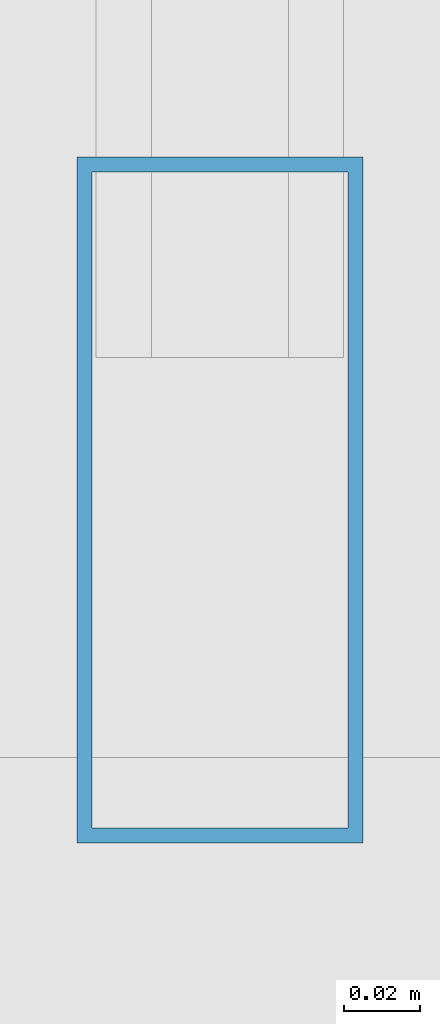
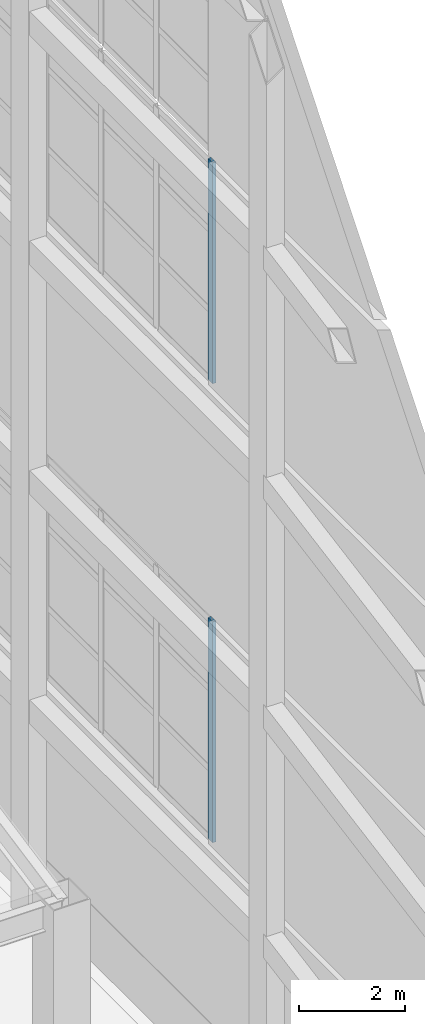
# One storey, part 23 of 47: 2 members, 2 elements without a shape of their own.
"""IFC4 building model written with IfcOpenShell, lengths in metres."""

from ifc_helpers import new_model, si_unit, direction, frame, origin, origin_2d, place, context, subcontext, project, spatial, hollow_rectangle, extrude, material, layer, layer_set, material_profile, profile_set, type_object, element, aggregate, save


model = new_model("IFC4")

# Units and contexts
model_context = context("Model", 3, precision=1e-05, world=origin(), true_north=direction((0.0, 1.0)))
body_context = subcontext(model_context, "Body", "Model", "MODEL_VIEW")
ifc_project = project(units=[si_unit("LENGTHUNIT", "METRE"), si_unit("AREAUNIT", "SQUARE_METRE"), si_unit("VOLUMEUNIT", "CUBIC_METRE"), si_unit("PLANEANGLEUNIT", "RADIAN"), si_unit("MASSUNIT", "GRAM", prefix="KILO")], contexts=[model_context])

# Site, building, storey
site_placement = place(None, origin())
site = spatial("IfcSite", under=ifc_project, at=site_placement, CompositionType="ELEMENT")
building_placement = place(site_placement, origin())
building = spatial("IfcBuilding", under=site, at=building_placement, Name="Qiaolan Cultural Towers", CompositionType="ELEMENT")
storey_placement = place(building_placement, frame((0.0, 0.0, 280.199951171875)))
storey = spatial("IfcBuildingStorey", under=building, at=storey_placement, Name="RF", CompositionType="ELEMENT", Elevation=280.199951171875)

# Curtain wall, member
ifc_material_1 = material(Name="Unitized Anodized Aluminium Curtain Wall System", Category="aluminium")
ifc_layer = layer(ifc_material_1, 0.199951171875)
ifc_layer_set = layer_set([ifc_layer], Name="Unitized Anodized Aluminium Curtain Wall System")
curtain_wall_type = type_object("IfcCurtainWallType", Name="CWS-06", PredefinedType="NOTDEFINED", material=ifc_layer_set)
curtain_wall_1_placement = place(storey_placement, origin())
curtain_wall_1 = element("IfcCurtainWall", 1, at=curtain_wall_1_placement, inside=storey, type_object=curtain_wall_type, Name="T1 Crown Tier 2 Fritted Screen Curtain Wall 3", PredefinedType="NOTDEFINED")
ifc_material_2 = material(Name="Extruded Aluminium 6063-T6", Category="aluminium")
ifc_material_profile = material_profile(ifc_material_2, hollow_rectangle(XDim=0.074951171875, YDim=0.179931640625, WallThickness=0.00390625, at=origin_2d()), Name="CWM-180x75x4")
ifc_profile_set = profile_set([ifc_material_profile], Name="Extruded Aluminium 6063-T6")
member_type = type_object("IfcMemberType", Name="CWS-06-MUL", PredefinedType="MULLION", material=ifc_profile_set)
member_1_placement = place(storey_placement, frame((45.050048828125, 27.767578125, 5.400146484375), z_axis=(0.0, 0.0, 1.0), x_axis=(-1.0, 0.0, 0.0)))
member_1 = element("IfcMember", 2, at=member_1_placement, type_object=member_type, Name="CW-6 mullion 1", PredefinedType="MULLION", context=body_context, shape_type="SweptSolid", body=[
    extrude(hollow_rectangle(XDim=0.074951171875, YDim=0.179931640625, WallThickness=0.00390625, at=origin_2d()), origin(), (0.0, 0.0, 1.0), 5.099853515625),
])
aggregate(curtain_wall_1, [member_1])

curtain_wall_2_placement = place(storey_placement, origin())
curtain_wall_2 = element("IfcCurtainWall", 3, at=curtain_wall_2_placement, inside=storey, type_object=curtain_wall_type, Name="T1 Crown Tier 4 Fritted Screen Curtain Wall 3", PredefinedType="NOTDEFINED")
member_2_placement = place(storey_placement, frame((45.050048828125, 27.767578125, 16.0), z_axis=(0.0, 0.0, 1.0), x_axis=(-1.0, 0.0, 0.0)))
member_2 = element("IfcMember", 4, at=member_2_placement, type_object=member_type, Name="CW-6 mullion 1", PredefinedType="MULLION", context=body_context, shape_type="SweptSolid", body=[
    extrude(hollow_rectangle(XDim=0.074951171875, YDim=0.179931640625, WallThickness=0.00390625, at=origin_2d()), origin(), (0.0, 0.0, 1.0), 5.10009765625),
])
aggregate(curtain_wall_2, [member_2])

save(model, "model.ifc")
